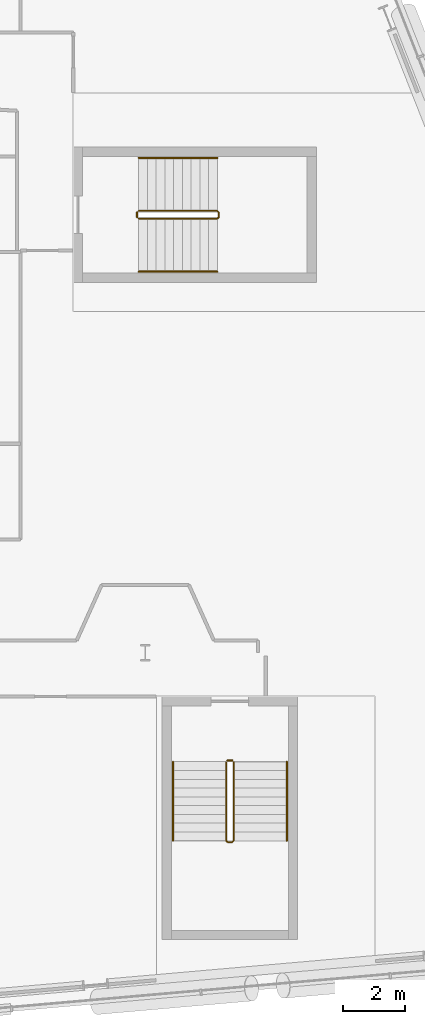
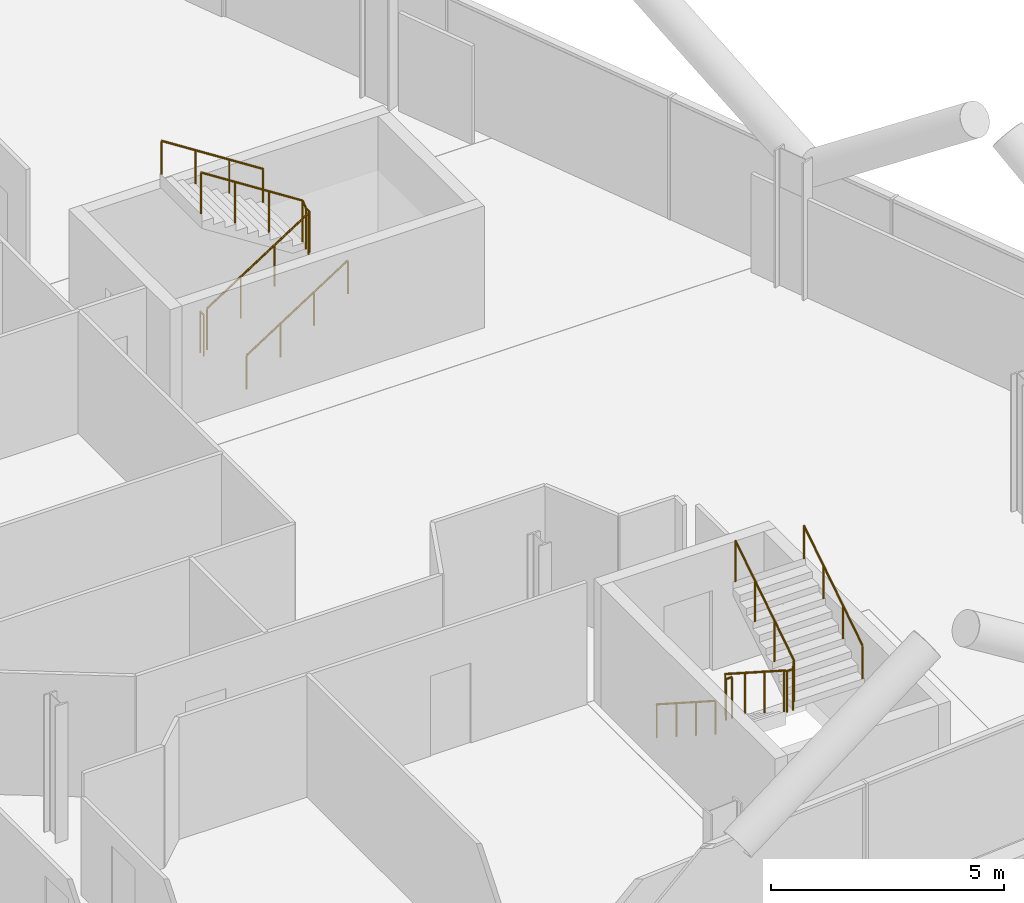
# One storey, part 26 of 26: 8 railings.
"""IFC4 building model written with IfcOpenShell, lengths in metres."""

from ifc_helpers import new_model, si_unit, direction, frame, origin, origin_2d, place, context, subcontext, project, spatial, circle, extrude, material, type_object, element, save


model = new_model("IFC4")

# Units and contexts
model_context = context("Model", 3, precision=1e-05, world=origin(), true_north=direction((0.0, 1.0)))
body_context = subcontext(model_context, "Body", "Model", "MODEL_VIEW")
ifc_project = project(units=[si_unit("LENGTHUNIT", "METRE"), si_unit("AREAUNIT", "SQUARE_METRE"), si_unit("VOLUMEUNIT", "CUBIC_METRE"), si_unit("PLANEANGLEUNIT", "RADIAN"), si_unit("MASSUNIT", "GRAM", prefix="KILO")], contexts=[model_context])

# Site, building, storey
site_placement = place(None, origin())
site = spatial("IfcSite", under=ifc_project, at=site_placement, CompositionType="ELEMENT")
building_placement = place(site_placement, origin())
building = spatial("IfcBuilding", under=site, at=building_placement, Name="Wharfspan Tower", CompositionType="ELEMENT")
storey_placement = place(building_placement, frame((0.0, 0.0, 114.699951)))
storey = spatial("IfcBuildingStorey", under=building, at=storey_placement, Name="L26", CompositionType="ELEMENT", Elevation=114.699951)

# Railings
ifc_material = material(Name="Steel S355J2", Category="steel")
railing_type_1 = type_object("IfcRailingType", Name="Stair guard 1100", PredefinedType="GUARDRAIL", material=ifc_material)
railing_1_placement = place(storey_placement, frame((74.591064, 7.994629, 0.179932)))
element("IfcRailing", 1, at=railing_1_placement, inside=storey, type_object=railing_type_1, Name="L26 ST5 stair guard 1", PredefinedType="GUARDRAIL", context=body_context, shape_type="SweptSolid", body=[
    extrude(circle(Radius=0.023926, at=origin_2d()), frame((0.0, 0.0, 1.076172), z_axis=(0.0, -0.841163, 0.540782), x_axis=(1.0, 0.0, 0.0)), (0.0, 0.0, 1.0), 2.99585),
    extrude(circle(Radius=0.023926, at=origin_2d()), frame((0.0, -2.52002, 2.696289), z_axis=(0.707107, -0.707107, 0.0), x_axis=(0.707107, 0.707107, 0.0)), (0.0, 0.0, 1.0), 0.070801),
    extrude(circle(Radius=0.023926, at=origin_2d()), frame((0.050049, -2.570068, 2.696289), z_axis=(1.0, 0.0, 0.0), x_axis=(0.0, 1.0, 0.0)), (0.0, 0.0, 1.0), 0.149902),
    extrude(circle(Radius=0.023926, at=origin_2d()), frame((0.199951, -2.570068, 2.696289), z_axis=(0.258848, 0.258848, 0.930589), x_axis=(-0.707107, 0.707107, 0.0)), (0.0, 0.0, 1.0), 0.193359),
    extrude(circle(Radius=0.023926, at=origin_2d()), frame((0.25, -2.52002, 2.875977), z_axis=(0.0, 0.841163, 0.540782), x_axis=(-1.0, 0.0, 0.0)), (0.0, 0.0, 1.0), 2.99585),
    extrude(circle(Radius=0.020996, at=origin_2d()), origin(), (0.0, 0.0, 1.0), 1.052002),
    extrude(circle(Radius=0.020996, at=origin_2d()), frame((0.0, -0.840088, 0.540039)), (0.0, 0.0, 1.0), 1.052002),
    extrude(circle(Radius=0.020996, at=origin_2d()), frame((0.0, -1.679932, 1.080078)), (0.0, 0.0, 1.0), 1.052002),
    extrude(circle(Radius=0.020996, at=origin_2d()), frame((0.0, -2.52002, 1.620117)), (0.0, 0.0, 1.0), 1.052002),
    extrude(circle(Radius=0.020996, at=origin_2d()), frame((0.050049, -2.570068, 1.620117)), (0.0, 0.0, 1.0), 1.052002),
    extrude(circle(Radius=0.020996, at=origin_2d()), frame((0.199951, -2.570068, 1.620117)), (0.0, 0.0, 1.0), 1.052002),
    extrude(circle(Radius=0.020996, at=origin_2d()), frame((0.25, -2.52002, 1.800049)), (0.0, 0.0, 1.0), 1.052002),
    extrude(circle(Radius=0.020996, at=origin_2d()), frame((0.25, -1.679932, 2.340088)), (0.0, 0.0, 1.0), 1.052002),
    extrude(circle(Radius=0.020996, at=origin_2d()), frame((0.25, -0.840088, 2.880127)), (0.0, 0.0, 1.0), 1.052002),
    extrude(circle(Radius=0.020996, at=origin_2d()), frame((0.25, 0.0, 3.420166)), (0.0, 0.0, 1.0), 1.052002),
])
railing_2_placement = place(storey_placement, frame((74.641113, 8.044678, 0.0)))
element("IfcRailing", 2, at=railing_2_placement, inside=storey, type_object=railing_type_1, Name="L26 ST5 stair guard 2", PredefinedType="GUARDRAIL", context=body_context, shape_type="SweptSolid", body=[
    extrude(circle(Radius=0.023926, at=origin_2d()), frame((0.0, 0.0, 1.076172), z_axis=(1.0, 0.0, 0.0), x_axis=(0.0, 1.0, 0.0)), (0.0, 0.0, 1.0), 0.149902),
    extrude(circle(Radius=0.020996, at=origin_2d()), origin(), (0.0, 0.0, 1.0), 1.052002),
    extrude(circle(Radius=0.020996, at=origin_2d()), frame((0.149902, 0.0, 0.0)), (0.0, 0.0, 1.0), 1.052002),
])
railing_3_placement = place(storey_placement, frame((71.790283, 25.425049, 0.179932)))
element("IfcRailing", 3, at=railing_3_placement, inside=storey, type_object=railing_type_1, Name="L26 ST6 stair guard 1", PredefinedType="GUARDRAIL", context=body_context, shape_type="SweptSolid", body=[
    extrude(circle(Radius=0.023926, at=origin_2d()), frame((0.0, 0.0, 1.076172), z_axis=(0.841163, 0.0, 0.540782), x_axis=(0.0, 1.0, 0.0)), (0.0, 0.0, 1.0), 2.99585),
    extrude(circle(Radius=0.023926, at=origin_2d()), frame((2.52002, 0.0, 2.696289), z_axis=(0.707107, 0.707107, 0.0), x_axis=(-0.707107, 0.707107, 0.0)), (0.0, 0.0, 1.0), 0.070801),
    extrude(circle(Radius=0.023926, at=origin_2d()), frame((2.570068, 0.050049, 2.696289), z_axis=(0.0, 1.0, 0.0), x_axis=(-1.0, 0.0, 0.0)), (0.0, 0.0, 1.0), 0.149902),
    extrude(circle(Radius=0.023926, at=origin_2d()), frame((2.570068, 0.199951, 2.696289), z_axis=(-0.258848, 0.258848, 0.930589), x_axis=(-0.707107, -0.707107, 0.0)), (0.0, 0.0, 1.0), 0.193359),
    extrude(circle(Radius=0.023926, at=origin_2d()), frame((2.52002, 0.25, 2.875977), z_axis=(-0.841163, 0.0, 0.540782), x_axis=(0.0, -1.0, 0.0)), (0.0, 0.0, 1.0), 2.99585),
    extrude(circle(Radius=0.020996, at=origin_2d()), origin(), (0.0, 0.0, 1.0), 1.052002),
    extrude(circle(Radius=0.020996, at=origin_2d()), frame((0.840088, 0.0, 0.540039)), (0.0, 0.0, 1.0), 1.052002),
    extrude(circle(Radius=0.020996, at=origin_2d()), frame((1.679932, 0.0, 1.080078)), (0.0, 0.0, 1.0), 1.052002),
    extrude(circle(Radius=0.020996, at=origin_2d()), frame((2.52002, 0.0, 1.620117)), (0.0, 0.0, 1.0), 1.052002),
    extrude(circle(Radius=0.020996, at=origin_2d()), frame((2.570068, 0.050049, 1.620117)), (0.0, 0.0, 1.0), 1.052002),
    extrude(circle(Radius=0.020996, at=origin_2d()), frame((2.570068, 0.199951, 1.620117)), (0.0, 0.0, 1.0), 1.052002),
    extrude(circle(Radius=0.020996, at=origin_2d()), frame((2.52002, 0.25, 1.800049)), (0.0, 0.0, 1.0), 1.052002),
    extrude(circle(Radius=0.020996, at=origin_2d()), frame((1.679932, 0.25, 2.340088)), (0.0, 0.0, 1.0), 1.052002),
    extrude(circle(Radius=0.020996, at=origin_2d()), frame((0.840088, 0.25, 2.880127)), (0.0, 0.0, 1.0), 1.052002),
    extrude(circle(Radius=0.020996, at=origin_2d()), frame((0.0, 0.25, 3.420166)), (0.0, 0.0, 1.0), 1.052002),
])
railing_4_placement = place(storey_placement, frame((71.740479, 25.475098, 0.0)))
element("IfcRailing", 4, at=railing_4_placement, inside=storey, type_object=railing_type_1, Name="L26 ST6 stair guard 2", PredefinedType="GUARDRAIL", context=body_context, shape_type="SweptSolid", body=[
    extrude(circle(Radius=0.023926, at=origin_2d()), frame((0.0, 0.0, 1.076172), z_axis=(0.0, 1.0, 0.0), x_axis=(-1.0, 0.0, 0.0)), (0.0, 0.0, 1.0), 0.149902),
    extrude(circle(Radius=0.020996, at=origin_2d()), origin(), (0.0, 0.0, 1.0), 1.052002),
    extrude(circle(Radius=0.020996, at=origin_2d()), frame((0.0, 0.149902, 0.0)), (0.0, 0.0, 1.0), 1.052002),
])
railing_type_2 = type_object("IfcRailingType", Name="Stair handrail 900", PredefinedType="HANDRAIL", material=ifc_material)
railing_5_placement = place(storey_placement, frame((72.891113, 7.994629, 0.179932)))
element("IfcRailing", 5, at=railing_5_placement, inside=storey, type_object=railing_type_2, Name="L26 ST5 stair handrail 1", PredefinedType="HANDRAIL", context=body_context, shape_type="SweptSolid", body=[
    extrude(circle(Radius=0.023926, at=origin_2d()), frame((0.0, 0.0, 0.875977), z_axis=(0.0, -0.841163, 0.540782), x_axis=(1.0, 0.0, 0.0)), (0.0, 0.0, 1.0), 2.99585),
    extrude(circle(Radius=0.020996, at=origin_2d()), origin(), (0.0, 0.0, 1.0), 0.851807),
    extrude(circle(Radius=0.020996, at=origin_2d()), frame((0.0, -0.840088, 0.540039)), (0.0, 0.0, 1.0), 0.851807),
    extrude(circle(Radius=0.020996, at=origin_2d()), frame((0.0, -1.679932, 1.080078)), (0.0, 0.0, 1.0), 0.851807),
    extrude(circle(Radius=0.020996, at=origin_2d()), frame((0.0, -2.52002, 1.620117)), (0.0, 0.0, 1.0), 0.851807),
])
railing_6_placement = place(storey_placement, frame((76.541016, 5.474609, 1.97998)))
element("IfcRailing", 6, at=railing_6_placement, inside=storey, type_object=railing_type_2, Name="L26 ST5 stair handrail 2", PredefinedType="HANDRAIL", context=body_context, shape_type="SweptSolid", body=[
    extrude(circle(Radius=0.023926, at=origin_2d()), frame((0.0, 0.0, 0.875977), z_axis=(0.0, 0.841163, 0.540782), x_axis=(-1.0, 0.0, 0.0)), (0.0, 0.0, 1.0), 2.99585),
    extrude(circle(Radius=0.020996, at=origin_2d()), origin(), (0.0, 0.0, 1.0), 0.851807),
    extrude(circle(Radius=0.020996, at=origin_2d()), frame((0.0, 0.840088, 0.540039)), (0.0, 0.0, 1.0), 0.851807),
    extrude(circle(Radius=0.020996, at=origin_2d()), frame((0.0, 1.679932, 1.080078)), (0.0, 0.0, 1.0), 0.851807),
    extrude(circle(Radius=0.020996, at=origin_2d()), frame((0.0, 2.52002, 1.620117)), (0.0, 0.0, 1.0), 0.851807),
])
railing_7_placement = place(storey_placement, frame((71.790283, 23.725098, 0.179932)))
element("IfcRailing", 7, at=railing_7_placement, inside=storey, type_object=railing_type_2, Name="L26 ST6 stair handrail 1", PredefinedType="HANDRAIL", context=body_context, shape_type="SweptSolid", body=[
    extrude(circle(Radius=0.023926, at=origin_2d()), frame((0.0, 0.0, 0.875977), z_axis=(0.841163, 0.0, 0.540782), x_axis=(0.0, 1.0, 0.0)), (0.0, 0.0, 1.0), 2.99585),
    extrude(circle(Radius=0.020996, at=origin_2d()), origin(), (0.0, 0.0, 1.0), 0.851807),
    extrude(circle(Radius=0.020996, at=origin_2d()), frame((0.840088, 0.0, 0.540039)), (0.0, 0.0, 1.0), 0.851807),
    extrude(circle(Radius=0.020996, at=origin_2d()), frame((1.679932, 0.0, 1.080078)), (0.0, 0.0, 1.0), 0.851807),
    extrude(circle(Radius=0.020996, at=origin_2d()), frame((2.52002, 0.0, 1.620117)), (0.0, 0.0, 1.0), 0.851807),
])
railing_8_placement = place(storey_placement, frame((74.310303, 27.375, 1.97998)))
element("IfcRailing", 8, at=railing_8_placement, inside=storey, type_object=railing_type_2, Name="L26 ST6 stair handrail 2", PredefinedType="HANDRAIL", context=body_context, shape_type="SweptSolid", body=[
    extrude(circle(Radius=0.023926, at=origin_2d()), frame((0.0, 0.0, 0.875977), z_axis=(-0.841163, 0.0, 0.540782), x_axis=(0.0, -1.0, 0.0)), (0.0, 0.0, 1.0), 2.99585),
    extrude(circle(Radius=0.020996, at=origin_2d()), origin(), (0.0, 0.0, 1.0), 0.851807),
    extrude(circle(Radius=0.020996, at=origin_2d()), frame((-0.840088, 0.0, 0.540039)), (0.0, 0.0, 1.0), 0.851807),
    extrude(circle(Radius=0.020996, at=origin_2d()), frame((-1.679932, 0.0, 1.080078)), (0.0, 0.0, 1.0), 0.851807),
    extrude(circle(Radius=0.020996, at=origin_2d()), frame((-2.52002, 0.0, 1.620117)), (0.0, 0.0, 1.0), 0.851807),
])

save(model, "model.ifc")
